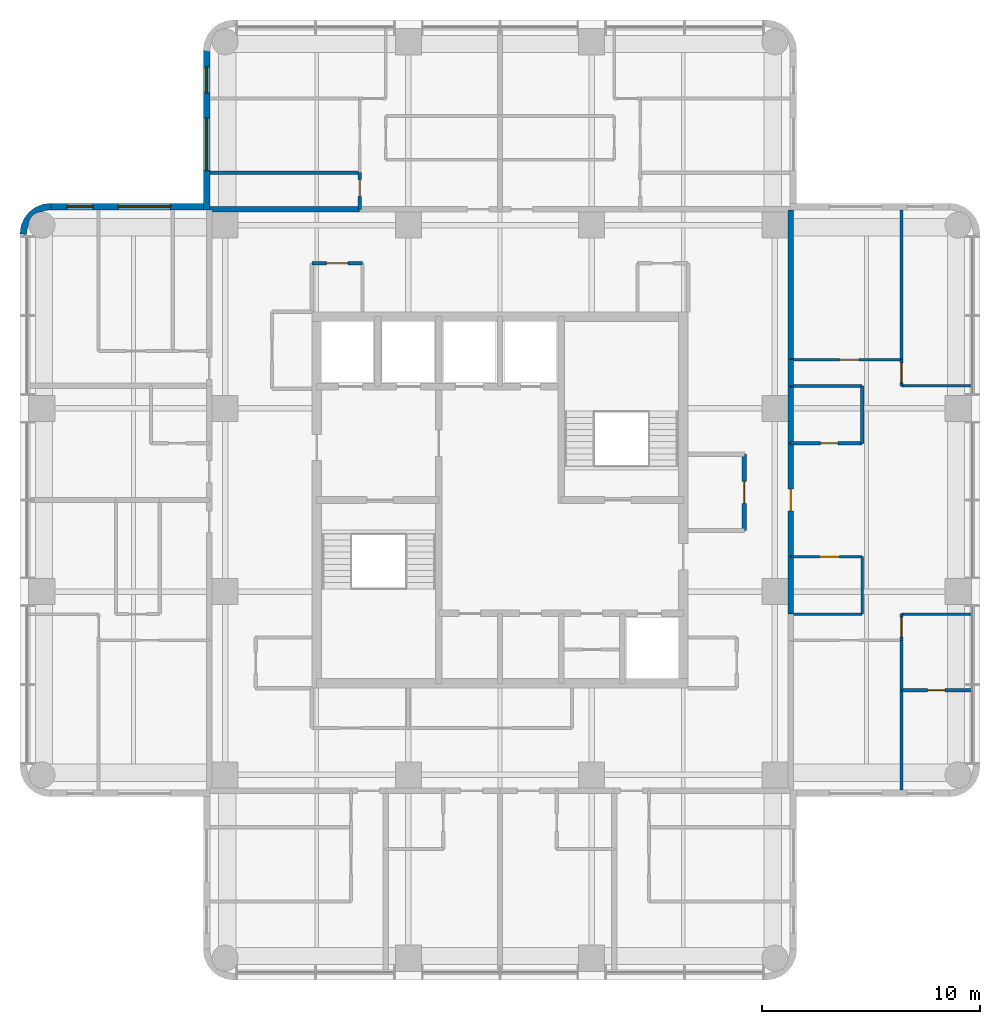
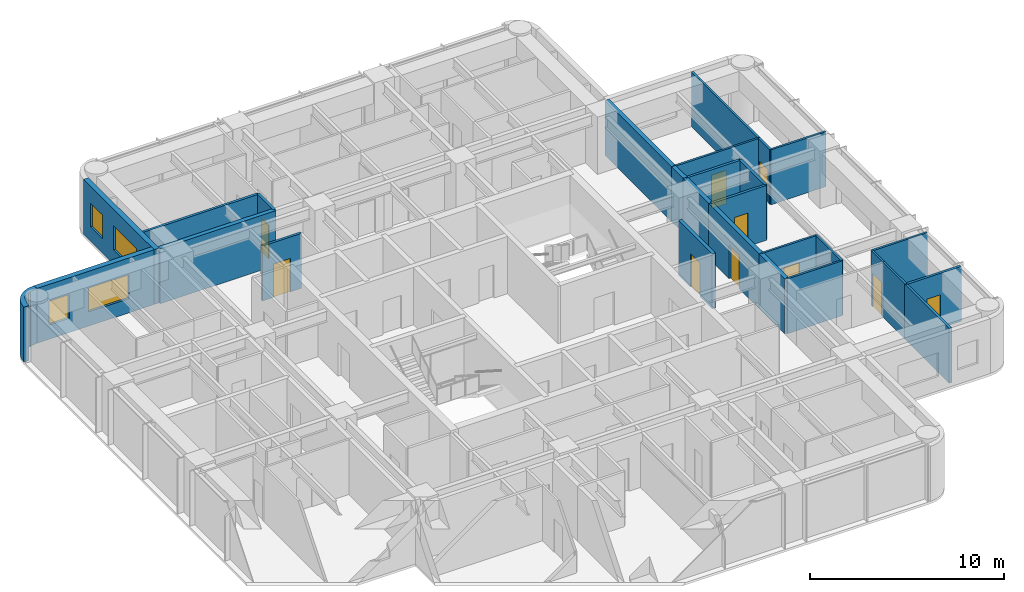
# One storey, part 7 of 10: 28 walls, 10 doors, 4 windows, 14 openings.
"""IFC4 building model written with IfcOpenShell, lengths in metres."""

from ifc_helpers import new_model, si_unit, direction, frame, frame_2d, origin, place, context, subcontext, project, spatial, polyline, rectangle, outline, extrude, material, layer, layer_set, type_object, element, fill, save


model = new_model("IFC4")

# Units and contexts
model_context = context("Model", 3, precision=1e-05, world=origin(), true_north=direction((0.0, 1.0)))
body_context = subcontext(model_context, "Body", "Model", "MODEL_VIEW")
ifc_project = project(units=[si_unit("LENGTHUNIT", "METRE"), si_unit("AREAUNIT", "SQUARE_METRE"), si_unit("VOLUMEUNIT", "CUBIC_METRE"), si_unit("PLANEANGLEUNIT", "RADIAN"), si_unit("MASSUNIT", "GRAM", prefix="KILO")], contexts=[model_context])

# Site, building, storey
site_placement = place(None, origin())
site = spatial("IfcSite", under=ifc_project, at=site_placement, CompositionType="ELEMENT")
building_placement = place(site_placement, origin())
building = spatial("IfcBuilding", under=site, at=building_placement, Name="Torre Alcanfor", CompositionType="ELEMENT")
storey_placement = place(building_placement, frame((0.0, 0.0, 286.5)))
storey = spatial("IfcBuildingStorey", under=building, at=storey_placement, Name="L75", CompositionType="ELEMENT", Elevation=286.5)

# Wall
ifc_material_1 = material(Name="Concrete block masonry, hollow blocks NMX-C-404 9 MPa", Category="masonry")
ifc_layer_1 = layer(ifc_material_1, 0.25)
ifc_layer_set_1 = layer_set([ifc_layer_1], Name="Apartment entrance wall 250 EI 60")
wall_type_1 = type_object("IfcWallType", Name="Apartment entrance wall 250 EI 60", PredefinedType="PARTITIONING", material=ifc_layer_set_1)
wall_1_placement = place(storey_placement, frame((16.10009765625, 42.72509765625, 0.0), z_axis=(0.0, 0.0, 1.0), x_axis=(1.0, 0.0, 0.0)))
element("IfcWall", 1, at=wall_1_placement, inside=storey, type_object=wall_type_1, Name="Partition L75-CORR / L75-N1-BATH", PredefinedType="PARTITIONING", context=body_context, shape_type="SweptSolid", body=[
    extrude(rectangle(XDim=6.870849609375, YDim=0.25, at=frame_2d((3.435546875, 0.0))), origin(), (0.0, 0.0, 1.0), 3.449951171875),
])

# Wall, opening, door
wall_2_placement = place(storey_placement, frame((42.72509765625, 32.0, 0.0), z_axis=(0.0, 0.0, 1.0), x_axis=(0.0, -1.0, 0.0)))
wall_2 = element("IfcWall", 2, at=wall_2_placement, inside=storey, type_object=wall_type_1, Name="Partition L75-CORR / L75-EX-ZAG", PredefinedType="PARTITIONING", context=body_context, shape_type="SweptSolid", body=[
    extrude(rectangle(XDim=5.199951171875, YDim=0.25, at=frame_2d((2.60009765625, 0.0))), origin(), (0.0, 0.0, 1.0), 3.449951171875),
])
opening_1_placement = place(wall_2_placement, frame((2.10009765625, 0.0, 0.0)))
opening_1 = element("IfcOpeningElement", 3, at=opening_1_placement, cuts=wall_2, Name="Opening D-A1", PredefinedType="OPENING", context=body_context, shape_type="SweptSolid", body=[
    extrude(rectangle(XDim=1.0, YDim=2.10009765625, at=frame_2d((0.5, 1.050048828125))), frame((0.0, 0.135009765625, 0.0), z_axis=(0.0, -1.0, 0.0), x_axis=(1.0, 0.0, 0.0)), (0.0, 0.0, 1.0), 0.27001953125),
])
ifc_material_2 = material(Name="Galvanised steel sheet ASTM A653", Category="steel")
door_type_1 = type_object("IfcDoorType", Name="Apartment entrance door FD60 1000x2100", OperationType="SINGLE_SWING_LEFT", PredefinedType="DOOR", material=ifc_material_2)
door_1_placement = place(opening_1_placement, origin())
door_1 = element("IfcDoor", 4, at=door_1_placement, inside=storey, type_object=door_type_1, Name="Apartment entrance L75-EX", OperationType="SINGLE_SWING_LEFT", OverallHeight=2.10009765625, OverallWidth=1.0, PredefinedType="DOOR", context=body_context, shape_type="SweptSolid", body=[
    extrude(rectangle(XDim=1.0, YDim=2.10009765625, at=frame_2d((0.5, 1.050048828125))), frame((0.0, 0.02490234375, 0.0), z_axis=(0.0, -1.0, 0.0), x_axis=(1.0, 0.0, 0.0)), (0.0, 0.0, 1.0), 0.050048828125),
])
fill(opening_1, door_1)

# Walls
wall_3_placement = place(storey_placement, frame((42.72509765625, 34.62890625, 0.0), z_axis=(0.0, 0.0, 1.0), x_axis=(0.0, -1.0, 0.0)))
element("IfcWall", 5, at=wall_3_placement, inside=storey, type_object=wall_type_1, Name="Partition L75-CORR / L75-EX-BATH2", PredefinedType="PARTITIONING", context=body_context, shape_type="SweptSolid", body=[
    extrude(rectangle(XDim=2.62890625, YDim=0.25, at=frame_2d((1.314453125, 0.0))), origin(), (0.0, 0.0, 1.0), 3.449951171875),
])
wall_4_placement = place(storey_placement, frame((42.72509765625, 26.800048828125, 0.0), z_axis=(0.0, 0.0, 1.0), x_axis=(0.0, -1.0, 0.0)))
element("IfcWall", 6, at=wall_4_placement, inside=storey, type_object=wall_type_1, Name="Partition L75-CORR / L75-EX-KITCHEN", PredefinedType="PARTITIONING", context=body_context, shape_type="SweptSolid", body=[
    extrude(rectangle(XDim=2.629150390625, YDim=0.25, at=frame_2d((1.314453125, 0.0))), origin(), (0.0, 0.0, 1.0), 3.449951171875),
])
wall_5_placement = place(storey_placement, frame((42.72509765625, 35.8291015625, 0.0), z_axis=(0.0, 0.0, 1.0), x_axis=(0.0, -1.0, 0.0)))
element("IfcWall", 7, at=wall_5_placement, inside=storey, type_object=wall_type_1, Name="Partition L75-CORR / L75-EX-LIVING", PredefinedType="PARTITIONING", context=body_context, shape_type="SweptSolid", body=[
    extrude(rectangle(XDim=1.2001953125, YDim=0.25, at=frame_2d((0.60009765625, 0.0))), origin(), (0.0, 0.0, 1.0), 3.449951171875),
])
wall_6_placement = place(storey_placement, frame((42.72509765625, 42.699951171875, 0.0), z_axis=(0.0, 0.0, 1.0), x_axis=(0.0, -1.0, 0.0)))
element("IfcWall", 8, at=wall_6_placement, inside=storey, type_object=wall_type_1, Name="Partition L75-CORR / L75-EX-BED2", PredefinedType="PARTITIONING", context=body_context, shape_type="SweptSolid", body=[
    extrude(rectangle(XDim=6.870849609375, YDim=0.25, at=frame_2d((3.435546875, 0.0))), origin(), (0.0, 0.0, 1.0), 3.449951171875),
])

# Wall, opening, door
ifc_material_3 = material(Name="Gypsum board on steel studs", Category="steel")
ifc_layer_2 = layer(ifc_material_3, 0.1201171875)
ifc_layer_set_2 = layer_set([ifc_layer_2], Name="Apartment partition 120")
wall_type_2 = type_object("IfcWallType", Name="Apartment partition 120", PredefinedType="PARTITIONING", material=ifc_layer_set_2)
wall_7_placement = place(storey_placement, frame((42.72509765625, 26.800048828125, 0.0), z_axis=(0.0, 0.0, 1.0), x_axis=(1.0, 0.0, 0.0)))
wall_7 = element("IfcWall", 9, at=wall_7_placement, inside=storey, type_object=wall_type_2, Name="Partition L75-EX-ZAG / L75-EX-KITCHEN", PredefinedType="PARTITIONING", context=body_context, shape_type="SweptSolid", body=[
    extrude(rectangle(XDim=3.27490234375, YDim=0.1201171875, at=frame_2d((1.637451171875, 0.0))), origin(), (0.0, 0.0, 1.0), 3.449951171875),
])
opening_2_placement = place(wall_7_placement, frame((1.324951171875, 0.0, 0.0)))
opening_2 = element("IfcOpeningElement", 10, at=opening_2_placement, cuts=wall_7, Name="Opening D-R1", PredefinedType="OPENING", context=body_context, shape_type="SweptSolid", body=[
    extrude(rectangle(XDim=0.89990234375, YDim=2.10009765625, at=frame_2d((0.449951171875, 1.050048828125))), frame((0.0, 0.070068359375, 0.0), z_axis=(0.0, -1.0, 0.0), x_axis=(1.0, 0.0, 0.0)), (0.0, 0.0, 1.0), 0.14013671875),
])
ifc_material_4 = material(Name="Timber", Category="wood")
door_type_2 = type_object("IfcDoorType", Name="Internal door 900x2100", OperationType="SINGLE_SWING_LEFT", PredefinedType="DOOR", material=ifc_material_4)
door_2_placement = place(opening_2_placement, frame((0.89990234375, 0.0, 0.0), z_axis=(0.0, 0.0, 1.0), x_axis=(-1.0, 0.0, 0.0)))
door_2 = element("IfcDoor", 11, at=door_2_placement, inside=storey, type_object=door_type_2, Name="Door L75-EX kitchen", OperationType="SINGLE_SWING_LEFT", OverallHeight=2.10009765625, OverallWidth=0.89990234375, PredefinedType="DOOR", context=body_context, shape_type="SweptSolid", body=[
    extrude(rectangle(XDim=0.89990234375, YDim=2.10009765625, at=frame_2d((0.449951171875, 1.050048828125))), frame((0.0, 0.025146484375, 0.0), z_axis=(0.0, -1.0, 0.0), x_axis=(1.0, 0.0, 0.0)), (0.0, 0.0, 1.0), 0.050048828125),
])
fill(opening_2, door_2)

# Walls
wall_8_placement = place(storey_placement, frame((42.72509765625, 24.1708984375, 0.0), z_axis=(0.0, 0.0, 1.0), x_axis=(1.0, 0.0, 0.0)))
element("IfcWall", 12, at=wall_8_placement, inside=storey, type_object=wall_type_2, Name="Partition L75-EX-KITCHEN / L75-EX-LIVING", PredefinedType="PARTITIONING", context=body_context, shape_type="SweptSolid", body=[
    extrude(rectangle(XDim=3.27490234375, YDim=0.1201171875, at=frame_2d((1.637451171875, 0.0))), origin(), (0.0, 0.0, 1.0), 3.449951171875),
])
wall_9_placement = place(storey_placement, frame((46.0, 24.1708984375, 0.0), z_axis=(0.0, 0.0, 1.0), x_axis=(0.0, 1.0, 0.0)))
element("IfcWall", 13, at=wall_9_placement, inside=storey, type_object=wall_type_2, Name="Partition L75-EX-KITCHEN / L75-EX-LIVING", PredefinedType="PARTITIONING", context=body_context, shape_type="SweptSolid", body=[
    extrude(rectangle(XDim=2.629150390625, YDim=0.1201171875, at=frame_2d((1.314453125, 0.0))), origin(), (0.0, 0.0, 1.0), 3.449951171875),
])

# Wall, opening, door
wall_10_placement = place(storey_placement, frame((42.72509765625, 35.8291015625, 0.0), z_axis=(0.0, 0.0, 1.0), x_axis=(1.0, 0.0, 0.0)))
wall_10 = element("IfcWall", 14, at=wall_10_placement, inside=storey, type_object=wall_type_2, Name="Partition L75-EX-LIVING / L75-EX-BED2", PredefinedType="PARTITIONING", context=body_context, shape_type="SweptSolid", body=[
    extrude(rectangle(XDim=5.074951171875, YDim=0.1201171875, at=frame_2d((2.53759765625, 0.0))), origin(), (0.0, 0.0, 1.0), 3.449951171875),
])
opening_3_placement = place(wall_10_placement, frame((2.22509765625, 0.0, 0.0)))
opening_3 = element("IfcOpeningElement", 15, at=opening_3_placement, cuts=wall_10, Name="Opening D-R1", PredefinedType="OPENING", context=body_context, shape_type="SweptSolid", body=[
    extrude(rectangle(XDim=0.89990234375, YDim=2.10009765625, at=frame_2d((0.449951171875, 1.050048828125))), frame((0.0, 0.070068359375, 0.0), z_axis=(0.0, -1.0, 0.0), x_axis=(1.0, 0.0, 0.0)), (0.0, 0.0, 1.0), 0.14013671875),
])
door_3_placement = place(opening_3_placement, origin())
door_3 = element("IfcDoor", 16, at=door_3_placement, inside=storey, type_object=door_type_2, Name="Door L75-EX bed2", OperationType="SINGLE_SWING_RIGHT", OverallHeight=2.10009765625, OverallWidth=0.89990234375, PredefinedType="DOOR", context=body_context, shape_type="SweptSolid", body=[
    extrude(rectangle(XDim=0.89990234375, YDim=2.10009765625, at=frame_2d((0.449951171875, 1.050048828125))), frame((0.0, 0.02490234375, 0.0), z_axis=(0.0, -1.0, 0.0), x_axis=(1.0, 0.0, 0.0)), (0.0, 0.0, 1.0), 0.050048828125),
])
fill(opening_3, door_3)

wall_11_placement = place(storey_placement, frame((47.800048828125, 35.8291015625, 0.0), z_axis=(0.0, 0.0, 1.0), x_axis=(0.0, -1.0, 0.0)))
wall_11 = element("IfcWall", 17, at=wall_11_placement, inside=storey, type_object=wall_type_2, Name="Partition L75-EX-LIVING / L75-EX-MASTER", PredefinedType="PARTITIONING", context=body_context, shape_type="SweptSolid", body=[
    extrude(rectangle(XDim=1.2001953125, YDim=0.1201171875, at=frame_2d((0.60009765625, 0.0))), origin(), (0.0, 0.0, 1.0), 3.449951171875),
])
opening_4_placement = place(wall_11_placement, frame((0.14892578125, 0.0, 0.0)))
opening_4 = element("IfcOpeningElement", 18, at=opening_4_placement, cuts=wall_11, Name="Opening D-R1", PredefinedType="OPENING", context=body_context, shape_type="SweptSolid", body=[
    extrude(rectangle(XDim=0.89990234375, YDim=2.10009765625, at=frame_2d((0.449951171875, 1.050048828125))), frame((0.0, 0.070068359375, 0.0), z_axis=(0.0, -1.0, 0.0), x_axis=(1.0, 0.0, 0.0)), (0.0, 0.0, 1.0), 0.14013671875),
])
door_4_placement = place(opening_4_placement, origin())
door_4 = element("IfcDoor", 19, at=door_4_placement, inside=storey, type_object=door_type_2, Name="Door L75-EX master", OperationType="SINGLE_SWING_RIGHT", OverallHeight=2.10009765625, OverallWidth=0.89990234375, PredefinedType="DOOR", context=body_context, shape_type="SweptSolid", body=[
    extrude(rectangle(XDim=0.89990234375, YDim=2.10009765625, at=frame_2d((0.449951171875, 1.050048828125))), frame((0.0, 0.02490234375, 0.0), z_axis=(0.0, -1.0, 0.0), x_axis=(1.0, 0.0, 0.0)), (0.0, 0.0, 1.0), 0.050048828125),
])
fill(opening_4, door_4)

# Walls
for number, where, z_axis, x_axis, name in (
    (20, (47.800048828125, 34.62890625, 0.0), (0.0, 0.0, 1.0), (1.0, 0.0, 0.0), "Partition L75-EX-LIVING / L75-EX-MASTER"),
    (21, (51.050048828125, 24.1708984375, 0.0), (0.0, 0.0, 1.0), (-1.0, 0.0, 0.0), "Partition L75-EX-LIVING / L75-EX-BED1"),
):
    element("IfcWall", number, at=place(storey_placement, frame(where, z_axis=z_axis, x_axis=x_axis)), inside=storey, type_object=wall_type_2, Name=name, PredefinedType="PARTITIONING", context=body_context, shape_type="SweptSolid", body=[
        extrude(rectangle(XDim=3.25, YDim=0.1201171875, at=frame_2d((1.625, 0.0))), origin(), (0.0, 0.0, 1.0), 3.449951171875),
    ])

# Wall, opening, door
wall_12_placement = place(storey_placement, frame((47.800048828125, 24.1708984375, 0.0), z_axis=(0.0, 0.0, 1.0), x_axis=(0.0, -1.0, 0.0)))
wall_12 = element("IfcWall", 22, at=wall_12_placement, inside=storey, type_object=wall_type_2, Name="Partition L75-EX-LIVING / L75-EX-BED1", PredefinedType="PARTITIONING", context=body_context, shape_type="SweptSolid", body=[
    extrude(rectangle(XDim=1.199951171875, YDim=0.1201171875, at=frame_2d((0.60009765625, 0.0))), origin(), (0.0, 0.0, 1.0), 3.449951171875),
])
opening_5_placement = place(wall_12_placement, frame((0.15087890625, 0.0, 0.0)))
opening_5 = element("IfcOpeningElement", 23, at=opening_5_placement, cuts=wall_12, Name="Opening D-R1", PredefinedType="OPENING", context=body_context, shape_type="SweptSolid", body=[
    extrude(rectangle(XDim=0.89990234375, YDim=2.10009765625, at=frame_2d((0.449951171875, 1.050048828125))), frame((0.0, 0.070068359375, 0.0), z_axis=(0.0, -1.0, 0.0), x_axis=(1.0, 0.0, 0.0)), (0.0, 0.0, 1.0), 0.14013671875),
])
door_5_placement = place(opening_5_placement, origin())
door_5 = element("IfcDoor", 24, at=door_5_placement, inside=storey, type_object=door_type_2, Name="Door L75-EX bed1", OperationType="SINGLE_SWING_LEFT", OverallHeight=2.10009765625, OverallWidth=0.89990234375, PredefinedType="DOOR", context=body_context, shape_type="SweptSolid", body=[
    extrude(rectangle(XDim=0.89990234375, YDim=2.10009765625, at=frame_2d((0.449951171875, 1.050048828125))), frame((0.0, 0.02490234375, 0.0), z_axis=(0.0, -1.0, 0.0), x_axis=(1.0, 0.0, 0.0)), (0.0, 0.0, 1.0), 0.050048828125),
])
fill(opening_5, door_5)

# Walls
wall_13_placement = place(storey_placement, frame((47.800048828125, 35.8291015625, 0.0), z_axis=(0.0, 0.0, 1.0), x_axis=(0.0, 1.0, 0.0)))
element("IfcWall", 25, at=wall_13_placement, inside=storey, type_object=wall_type_2, Name="Partition L75-EX-BED2 / L75-EX-MASTER", PredefinedType="PARTITIONING", context=body_context, shape_type="SweptSolid", body=[
    extrude(rectangle(XDim=6.870849609375, YDim=0.1201171875, at=frame_2d((3.435546875, 0.0))), origin(), (0.0, 0.0, 1.0), 3.449951171875),
])
wall_14_placement = place(storey_placement, frame((47.800048828125, 20.68603515625, 0.0), z_axis=(0.0, 0.0, 1.0), x_axis=(0.0, 1.0, 0.0)))
element("IfcWall", 26, at=wall_14_placement, inside=storey, type_object=wall_type_2, Name="Partition L75-EX-BED3 / L75-EX-BED1", PredefinedType="PARTITIONING", context=body_context, shape_type="SweptSolid", body=[
    extrude(rectangle(XDim=2.284912109375, YDim=0.1201171875, at=frame_2d((1.142578125, 0.0))), origin(), (0.0, 0.0, 1.0), 3.449951171875),
])

# Wall, openings, windows
ifc_material_5 = material(Name="Limestone cladding", Category="masonry")
ifc_layer_3 = layer(ifc_material_5, 0.0400390625, Name="Facing")
ifc_material_6 = material(Name="Ventilated air cavity")
ifc_layer_4 = layer(ifc_material_6, 0.02001953125, ventilated=True, Name="Ventilated joint")
ifc_material_7 = material(Name="Mineral wool insulation", Category="insulation")
ifc_layer_5 = layer(ifc_material_7, 0.10009765625, Name="Insulation")
ifc_material_8 = material(Name="Concrete f'c 35 MPa", Category="concrete")
ifc_layer_6 = layer(ifc_material_8, 0.139892578125, Name="Backing")
ifc_layer_set_3 = layer_set([ifc_layer_3, ifc_layer_4, ifc_layer_5, ifc_layer_6], Name="External wall stone-clad 300")
wall_type_3 = type_object("IfcWallType", Name="External wall stone-clad 300", PredefinedType="SOLIDWALL", material=ifc_layer_set_3)
wall_15_placement = place(storey_placement, frame((15.800048828125, 42.85009765625, 0.0), z_axis=(0.0, 0.0, 1.0), x_axis=(-1.0, 0.0, 0.0)))
wall_15 = element("IfcWall", 27, at=wall_15_placement, inside=storey, type_object=wall_type_3, Name="External wall L75 1", PredefinedType="SOLIDWALL", context=body_context, shape_type="SweptSolid", body=[
    extrude(rectangle(XDim=7.0, YDim=0.300048828125, at=frame_2d((3.5, 0.0))), origin(), (0.0, 0.0, 1.0), 3.449951171875),
])
opening_6_placement = place(wall_15_placement, frame((1.5, 0.0, 0.89990234375)))
opening_6 = element("IfcOpeningElement", 28, at=opening_6_placement, cuts=wall_15, Name="Opening W1", PredefinedType="OPENING", context=body_context, shape_type="SweptSolid", body=[
    extrude(rectangle(XDim=2.39990234375, YDim=1.5, at=frame_2d((1.199951171875, 0.75))), frame((0.0, 0.159912109375, 0.0), z_axis=(0.0, -1.0, 0.0), x_axis=(1.0, 0.0, 0.0)), (0.0, 0.0, 1.0), 0.320068359375),
])
opening_7_placement = place(wall_15_placement, frame((5.050048828125, 0.0, 0.89990234375)))
opening_7 = element("IfcOpeningElement", 29, at=opening_7_placement, cuts=wall_15, Name="Opening W4", PredefinedType="OPENING", context=body_context, shape_type="SweptSolid", body=[
    extrude(rectangle(XDim=1.199951171875, YDim=1.5, at=frame_2d((0.60009765625, 0.75))), frame((0.0, 0.159912109375, 0.0), z_axis=(0.0, -1.0, 0.0), x_axis=(1.0, 0.0, 0.0)), (0.0, 0.0, 1.0), 0.320068359375),
])
ifc_material_9 = material(Name="Aluminium frame with clear double glazing", Category="aluminium")
window_type_1 = type_object("IfcWindowType", Name="Window bedroom 1200x1500", PartitioningType="SINGLE_PANEL", PredefinedType="WINDOW", material=ifc_material_9)
window_1_placement = place(opening_7_placement, origin())
window_1 = element("IfcWindow", 30, at=window_1_placement, inside=storey, type_object=window_type_1, Name="Window W4 L75-W2", OverallHeight=1.5, OverallWidth=1.199951171875, PartitioningType="SINGLE_PANEL", PredefinedType="WINDOW", context=body_context, shape_type="SweptSolid", body=[
    extrude(rectangle(XDim=1.199951171875, YDim=1.5, at=frame_2d((0.60009765625, 0.75))), frame((0.0, 0.030029296875, 0.0), z_axis=(0.0, -1.0, 0.0), x_axis=(1.0, 0.0, 0.0)), (0.0, 0.0, 1.0), 0.06005859375),
])
fill(opening_7, window_1)
ifc_material_10 = material(Name="Aluminium frame with clear double glazing", Category="aluminium")
window_type_2 = type_object("IfcWindowType", Name="Window bedroom 2400x1500", PartitioningType="SINGLE_PANEL", PredefinedType="WINDOW", material=ifc_material_10)
window_2_placement = place(opening_6_placement, origin())
window_2 = element("IfcWindow", 31, at=window_2_placement, inside=storey, type_object=window_type_2, Name="Window W1 L75-W2", OverallHeight=1.5, OverallWidth=2.39990234375, PartitioningType="SINGLE_PANEL", PredefinedType="WINDOW", context=body_context, shape_type="SweptSolid", body=[
    extrude(rectangle(XDim=2.39990234375, YDim=1.5, at=frame_2d((1.199951171875, 0.75))), frame((0.0, 0.030029296875, 0.0), z_axis=(0.0, -1.0, 0.0), x_axis=(1.0, 0.0, 0.0)), (0.0, 0.0, 1.0), 0.06005859375),
])
fill(opening_6, window_2)

wall_16_placement = place(storey_placement, frame((15.949951171875, 50.0, 0.0), z_axis=(0.0, 0.0, 1.0), x_axis=(0.0, -1.0, 0.0)))
wall_16 = element("IfcWall", 32, at=wall_16_placement, inside=storey, type_object=wall_type_3, Name="External wall L75 12", PredefinedType="SOLIDWALL", context=body_context, shape_type="SweptSolid", body=[
    extrude(rectangle(XDim=7.300048828125, YDim=0.300048828125, at=frame_2d((3.64990234375, 0.0))), origin(), (0.0, 0.0, 1.0), 3.449951171875),
])
opening_8_placement = place(wall_16_placement, frame((3.10009765625, 0.0, 0.89990234375)))
opening_8 = element("IfcOpeningElement", 33, at=opening_8_placement, cuts=wall_16, Name="Opening W1", PredefinedType="OPENING", context=body_context, shape_type="SweptSolid", body=[
    extrude(rectangle(XDim=2.39990234375, YDim=1.5, at=frame_2d((1.199951171875, 0.75))), frame((0.0, 0.159912109375, 0.0), z_axis=(0.0, -1.0, 0.0), x_axis=(1.0, 0.0, 0.0)), (0.0, 0.0, 1.0), 0.320068359375),
])
opening_9_placement = place(wall_16_placement, frame((0.75, 0.0, 0.89990234375)))
opening_9 = element("IfcOpeningElement", 34, at=opening_9_placement, cuts=wall_16, Name="Opening W4", PredefinedType="OPENING", context=body_context, shape_type="SweptSolid", body=[
    extrude(rectangle(XDim=1.199951171875, YDim=1.5, at=frame_2d((0.60009765625, 0.75))), frame((0.0, 0.159912109375, 0.0), z_axis=(0.0, -1.0, 0.0), x_axis=(1.0, 0.0, 0.0)), (0.0, 0.0, 1.0), 0.320068359375),
])
window_3_placement = place(opening_9_placement, origin())
window_3 = element("IfcWindow", 35, at=window_3_placement, inside=storey, type_object=window_type_1, Name="Window W4 L75-N1", OverallHeight=1.5, OverallWidth=1.199951171875, PartitioningType="SINGLE_PANEL", PredefinedType="WINDOW", context=body_context, shape_type="SweptSolid", body=[
    extrude(rectangle(XDim=1.199951171875, YDim=1.5, at=frame_2d((0.60009765625, 0.75))), frame((0.0, 0.030029296875, 0.0), z_axis=(0.0, -1.0, 0.0), x_axis=(1.0, 0.0, 0.0)), (0.0, 0.0, 1.0), 0.06005859375),
])
fill(opening_9, window_3)
window_4_placement = place(opening_8_placement, origin())
window_4 = element("IfcWindow", 36, at=window_4_placement, inside=storey, type_object=window_type_2, Name="Window W1 L75-N1", OverallHeight=1.5, OverallWidth=2.39990234375, PartitioningType="SINGLE_PANEL", PredefinedType="WINDOW", context=body_context, shape_type="SweptSolid", body=[
    extrude(rectangle(XDim=2.39990234375, YDim=1.5, at=frame_2d((1.199951171875, 0.75))), frame((0.0, 0.030029296875, 0.0), z_axis=(0.0, -1.0, 0.0), x_axis=(1.0, 0.0, 0.0)), (0.0, 0.0, 1.0), 0.06005859375),
])
fill(opening_8, window_4)

# Wall, opening, door
ifc_material_11 = material(Name="Concrete block masonry, hollow blocks NMX-C-404 9 MPa", Category="masonry")
ifc_layer_7 = layer(ifc_material_11, 0.199951171875)
ifc_layer_set_4 = layer_set([ifc_layer_7], Name="Plant room wall 200 EI 60")
wall_type_4 = type_object("IfcWallType", Name="Plant room wall 200 EI 60", PredefinedType="PARTITIONING", material=ifc_layer_set_4)
wall_17_placement = place(storey_placement, frame((40.60009765625, 28.0, 0.0), z_axis=(0.0, 0.0, 1.0), x_axis=(0.0, 1.0, 0.0)))
wall_17 = element("IfcWall", 37, at=wall_17_placement, inside=storey, type_object=wall_type_4, Name="Partition L75-CORR / L75-G04", PredefinedType="PARTITIONING", context=body_context, shape_type="SweptSolid", body=[
    extrude(rectangle(XDim=3.5, YDim=0.199951171875, at=frame_2d((1.75, 0.0))), origin(), (0.0, 0.0, 1.0), 3.449951171875),
])
opening_10_placement = place(wall_17_placement, frame((1.25, 0.0, 0.0)))
opening_10 = element("IfcOpeningElement", 38, at=opening_10_placement, cuts=wall_17, Name="Opening D-K1", PredefinedType="OPENING", context=body_context, shape_type="SweptSolid", body=[
    extrude(rectangle(XDim=1.0, YDim=2.10009765625, at=frame_2d((0.5, 1.050048828125))), frame((0.0, 0.10986328125, 0.0), z_axis=(0.0, -1.0, 0.0), x_axis=(1.0, 0.0, 0.0)), (0.0, 0.0, 1.0), 0.219970703125),
])
ifc_material_12 = material(Name="Galvanised steel sheet ASTM A653", Category="steel")
door_type_3 = type_object("IfcDoorType", Name="Core room door FD60 1000x2100", OperationType="SINGLE_SWING_LEFT", PredefinedType="DOOR", material=ifc_material_12)
door_6_placement = place(opening_10_placement, origin())
door_6 = element("IfcDoor", 39, at=door_6_placement, inside=storey, type_object=door_type_3, Name="Door L75-G04 refuse and recycling store", OperationType="SINGLE_SWING_LEFT", OverallHeight=2.10009765625, OverallWidth=1.0, PredefinedType="DOOR", context=body_context, shape_type="SweptSolid", body=[
    extrude(rectangle(XDim=1.0, YDim=2.10009765625, at=frame_2d((0.5, 1.050048828125))), frame((0.0, 0.02490234375, 0.0), z_axis=(0.0, -1.0, 0.0), x_axis=(1.0, 0.0, 0.0)), (0.0, 0.0, 1.0), 0.050048828125),
])
fill(opening_10, door_6)

ifc_material_13 = material(Name="Concrete block masonry, hollow blocks NMX-C-404 9 MPa", Category="masonry")
ifc_layer_8 = layer(ifc_material_13, 0.14990234375)
ifc_layer_set_5 = layer_set([ifc_layer_8], Name="Residents' room partition 150")
wall_type_5 = type_object("IfcWallType", Name="Residents' room partition 150", PredefinedType="PARTITIONING", material=ifc_layer_set_5)
wall_18_placement = place(storey_placement, frame((23.10009765625, 40.25, 0.0), z_axis=(0.0, 0.0, 1.0), x_axis=(-1.0, 0.0, 0.0)))
wall_18 = element("IfcWall", 40, at=wall_18_placement, inside=storey, type_object=wall_type_5, Name="Partition L75-CORR / L75-G01", PredefinedType="PARTITIONING", context=body_context, shape_type="SweptSolid", body=[
    extrude(rectangle(XDim=2.3251953125, YDim=0.14990234375, at=frame_2d((1.16259765625, 0.0))), origin(), (0.0, 0.0, 1.0), 3.449951171875),
])
opening_11_placement = place(wall_18_placement, frame((0.66259765625, 0.0, 0.0)))
opening_11 = element("IfcOpeningElement", 41, at=opening_11_placement, cuts=wall_18, Name="Opening D-M1", PredefinedType="OPENING", context=body_context, shape_type="SweptSolid", body=[
    extrude(rectangle(XDim=1.0, YDim=2.10009765625, at=frame_2d((0.5, 1.050048828125))), frame((0.0, 0.0849609375, 0.0), z_axis=(0.0, -1.0, 0.0), x_axis=(1.0, 0.0, 0.0)), (0.0, 0.0, 1.0), 0.169921875),
])
ifc_material_14 = material(Name="Timber", Category="wood")
door_type_4 = type_object("IfcDoorType", Name="Residents' room door 1000x2100", OperationType="SINGLE_SWING_LEFT", PredefinedType="DOOR", material=ifc_material_14)
door_7_placement = place(opening_11_placement, origin())
door_7 = element("IfcDoor", 42, at=door_7_placement, inside=storey, type_object=door_type_4, Name="Door L75-G01 parcel room", OperationType="SINGLE_SWING_LEFT", OverallHeight=2.10009765625, OverallWidth=1.0, PredefinedType="DOOR", context=body_context, shape_type="SweptSolid", body=[
    extrude(rectangle(XDim=1.0, YDim=2.10009765625, at=frame_2d((0.5, 1.050048828125))), frame((0.0, 0.02490234375, 0.0), z_axis=(0.0, -1.0, 0.0), x_axis=(1.0, 0.0, 0.0)), (0.0, 0.0, 1.0), 0.050048828125),
])
fill(opening_11, door_7)

# Wall
ifc_layer_9 = layer(ifc_material_5, 0.0400390625, Name="Facing")
ifc_layer_10 = layer(ifc_material_6, 0.02001953125, ventilated=True, Name="Ventilated joint")
ifc_layer_11 = layer(ifc_material_7, 0.10009765625, Name="Insulation")
ifc_layer_12 = layer(ifc_material_8, 0.139892578125, Name="Backing")
ifc_layer_set_6 = layer_set([ifc_layer_9, ifc_layer_10, ifc_layer_11, ifc_layer_12], Name="Rounded corner pier stone-clad 300")
wall_type_6 = type_object("IfcWallType", Name="Rounded corner pier stone-clad 300", PredefinedType="SOLIDWALL", material=ifc_layer_set_6)
wall_19_placement = place(storey_placement, frame((8.761581746, 42.575898117, 0.0), z_axis=(0.0, 0.0, 1.0), x_axis=(-0.707106781187, 0.707106781187, 0.0)))
element("IfcWall", 43, at=wall_19_placement, inside=storey, type_object=wall_type_6, Name="Corner pier L75 13", PredefinedType="SOLIDWALL", context=body_context, shape_type="SweptSolid", body=[
    extrude(outline(polyline([(0.23297927971509194, 0.11416555226925892), (0.04670774238592084, -0.12872977027211618), (0.032551796082869844, -0.1428857165751672), (0.27268498276023495, -0.32708565200633083), (0.49520955330453675, -0.03723401977678656), (0.6350426814200405, 0.3004370895984301), (0.6826895250742122, 0.6629674217497361), (0.6350426814200405, 1.025152486918041), (0.49520955330453664, 1.3628235962932576), (0.27285761625173566, 1.6528478620143026), (0.032724429574370495, 1.468647926583139), (0.0467077423859209, 1.4546646137715884), (0.23315191320659262, 1.2115966577387127), (0.29219256729980525, 1.0690013937591991), (0.3577932940700416, 1.0034006669889626), (0.44946167805687187, 0.7826024313596671), (0.44946167805687187, 0.5433324121398051), (0.3579659275615422, 0.322361543019009), (0.29219256729980525, 0.256588182757272), (0.23297927971509194, 0.11416555226925892)])), origin(), (0.0, 0.0, 1.0), 3.449951171875),
])

# Wall, opening, door
ifc_material_15 = material(Name="Cement board on steel studs", Category="steel")
ifc_layer_13 = layer(ifc_material_15, 0.14990234375)
ifc_layer_set_7 = layer_set([ifc_layer_13], Name="Wet area partition 150")
wall_type_7 = type_object("IfcWallType", Name="Wet area partition 150", PredefinedType="PARTITIONING", material=ifc_layer_set_7)
wall_20_placement = place(storey_placement, frame((22.970947265625, 42.72509765625, 0.0), z_axis=(0.0, 0.0, 1.0), x_axis=(0.0, 1.0, 0.0)))
wall_20 = element("IfcWall", 44, at=wall_20_placement, inside=storey, type_object=wall_type_7, Name="Partition L75-N1-LIVING / L75-N1-BATH", PredefinedType="PARTITIONING", context=body_context, shape_type="SweptSolid", body=[
    extrude(rectangle(XDim=1.6748046875, YDim=0.14990234375, at=frame_2d((0.83740234375, 0.0))), origin(), (0.0, 0.0, 1.0), 3.449951171875),
])
opening_12_placement = place(wall_20_placement, frame((0.574951171875, 0.0, 0.0)))
opening_12 = element("IfcOpeningElement", 45, at=opening_12_placement, cuts=wall_20, Name="Opening D-R2", PredefinedType="OPENING", context=body_context, shape_type="SweptSolid", body=[
    extrude(rectangle(XDim=0.800048828125, YDim=2.10009765625, at=frame_2d((0.39990234375, 1.050048828125))), frame((0.0, 0.0849609375, 0.0), z_axis=(0.0, -1.0, 0.0), x_axis=(1.0, 0.0, 0.0)), (0.0, 0.0, 1.0), 0.169921875),
])
ifc_material_16 = material(Name="Timber", Category="wood")
door_type_5 = type_object("IfcDoorType", Name="Bathroom door 800x2100", OperationType="SINGLE_SWING_LEFT", PredefinedType="DOOR", material=ifc_material_16)
door_8_placement = place(opening_12_placement, origin())
door_8 = element("IfcDoor", 46, at=door_8_placement, inside=storey, type_object=door_type_5, Name="Door L75-N1 bath", OperationType="SINGLE_SWING_RIGHT", OverallHeight=2.10009765625, OverallWidth=0.800048828125, PredefinedType="DOOR", context=body_context, shape_type="SweptSolid", body=[
    extrude(rectangle(XDim=0.800048828125, YDim=2.10009765625, at=frame_2d((0.39990234375, 1.050048828125))), frame((0.0, 0.02490234375, 0.0), z_axis=(0.0, -1.0, 0.0), x_axis=(1.0, 0.0, 0.0)), (0.0, 0.0, 1.0), 0.050048828125),
])
fill(opening_12, door_8)

# Wall
wall_21_placement = place(storey_placement, frame((22.970947265625, 44.39990234375, 0.0), z_axis=(0.0, 0.0, 1.0), x_axis=(-1.0, 0.0, 0.0)))
element("IfcWall", 47, at=wall_21_placement, inside=storey, type_object=wall_type_7, Name="Partition L75-N1-BATH / L75-N1-STUDY", PredefinedType="PARTITIONING", context=body_context, shape_type="SweptSolid", body=[
    extrude(rectangle(XDim=6.870849609375, YDim=0.14990234375, at=frame_2d((3.435546875, 0.0))), origin(), (0.0, 0.0, 1.0), 3.449951171875),
])

# Wall, opening, door
wall_22_placement = place(storey_placement, frame((46.0, 32.0, 0.0), z_axis=(0.0, 0.0, 1.0), x_axis=(-1.0, 0.0, 0.0)))
wall_22 = element("IfcWall", 48, at=wall_22_placement, inside=storey, type_object=wall_type_7, Name="Partition L75-EX-ZAG / L75-EX-BATH2", PredefinedType="PARTITIONING", context=body_context, shape_type="SweptSolid", body=[
    extrude(rectangle(XDim=3.27490234375, YDim=0.14990234375, at=frame_2d((1.637451171875, 0.0))), origin(), (0.0, 0.0, 1.0), 3.449951171875),
])
opening_13_placement = place(wall_22_placement, frame((1.10009765625, 0.0, 0.0)))
opening_13 = element("IfcOpeningElement", 49, at=opening_13_placement, cuts=wall_22, Name="Opening D-R2", PredefinedType="OPENING", context=body_context, shape_type="SweptSolid", body=[
    extrude(rectangle(XDim=0.800048828125, YDim=2.10009765625, at=frame_2d((0.39990234375, 1.050048828125))), frame((0.0, 0.0849609375, 0.0), z_axis=(0.0, -1.0, 0.0), x_axis=(1.0, 0.0, 0.0)), (0.0, 0.0, 1.0), 0.169921875),
])
door_9_placement = place(opening_13_placement, frame((0.800048828125, 0.0, 0.0), z_axis=(0.0, 0.0, 1.0), x_axis=(-1.0, 0.0, 0.0)))
door_9 = element("IfcDoor", 50, at=door_9_placement, inside=storey, type_object=door_type_5, Name="Door L75-EX bath2", OperationType="SINGLE_SWING_RIGHT", OverallHeight=2.10009765625, OverallWidth=0.800048828125, PredefinedType="DOOR", context=body_context, shape_type="SweptSolid", body=[
    extrude(rectangle(XDim=0.800048828125, YDim=2.10009765625, at=frame_2d((0.400146484375, 1.050048828125))), frame((0.0, 0.025146484375, 0.0), z_axis=(0.0, -1.0, 0.0), x_axis=(1.0, 0.0, 0.0)), (0.0, 0.0, 1.0), 0.050048828125),
])
fill(opening_13, door_9)

# Walls
wall_23_placement = place(storey_placement, frame((46.0, 32.0, 0.0), z_axis=(0.0, 0.0, 1.0), x_axis=(0.0, 1.0, 0.0)))
element("IfcWall", 51, at=wall_23_placement, inside=storey, type_object=wall_type_7, Name="Partition L75-EX-BATH2 / L75-EX-LIVING", PredefinedType="PARTITIONING", context=body_context, shape_type="SweptSolid", body=[
    extrude(rectangle(XDim=2.62890625, YDim=0.14990234375, at=frame_2d((1.314453125, 0.0))), origin(), (0.0, 0.0, 1.0), 3.449951171875),
])
wall_24_placement = place(storey_placement, frame((46.0, 34.62890625, 0.0), z_axis=(0.0, 0.0, 1.0), x_axis=(-1.0, 0.0, 0.0)))
element("IfcWall", 52, at=wall_24_placement, inside=storey, type_object=wall_type_7, Name="Partition L75-EX-BATH2 / L75-EX-LIVING", PredefinedType="PARTITIONING", context=body_context, shape_type="SweptSolid", body=[
    extrude(rectangle(XDim=3.27490234375, YDim=0.14990234375, at=frame_2d((1.637451171875, 0.0))), origin(), (0.0, 0.0, 1.0), 3.449951171875),
])
wall_25_placement = place(storey_placement, frame((47.800048828125, 16.10009765625, 0.0), z_axis=(0.0, 0.0, 1.0), x_axis=(0.0, 1.0, 0.0)))
element("IfcWall", 53, at=wall_25_placement, inside=storey, type_object=wall_type_7, Name="Partition L75-EX-BED3 / L75-EX-BATH1", PredefinedType="PARTITIONING", context=body_context, shape_type="SweptSolid", body=[
    extrude(rectangle(XDim=4.5859375, YDim=0.14990234375, at=frame_2d((2.29296875, 0.0))), origin(), (0.0, 0.0, 1.0), 3.449951171875),
])

# Wall, opening, door
wall_26_placement = place(storey_placement, frame((51.050048828125, 20.68603515625, 0.0), z_axis=(0.0, 0.0, 1.0), x_axis=(-1.0, 0.0, 0.0)))
wall_26 = element("IfcWall", 54, at=wall_26_placement, inside=storey, type_object=wall_type_7, Name="Partition L75-EX-BATH1 / L75-EX-BED1", PredefinedType="PARTITIONING", context=body_context, shape_type="SweptSolid", body=[
    extrude(rectangle(XDim=3.25, YDim=0.14990234375, at=frame_2d((1.625, 0.0))), origin(), (0.0, 0.0, 1.0), 3.449951171875),
])
opening_14_placement = place(wall_26_placement, frame((1.25, 0.0, 0.0)))
opening_14 = element("IfcOpeningElement", 55, at=opening_14_placement, cuts=wall_26, Name="Opening D-R2", PredefinedType="OPENING", context=body_context, shape_type="SweptSolid", body=[
    extrude(rectangle(XDim=0.800048828125, YDim=2.10009765625, at=frame_2d((0.39990234375, 1.050048828125))), frame((0.0, 0.0849609375, 0.0), z_axis=(0.0, -1.0, 0.0), x_axis=(1.0, 0.0, 0.0)), (0.0, 0.0, 1.0), 0.169921875),
])
door_10_placement = place(opening_14_placement, frame((0.800048828125, 0.0, 0.0), z_axis=(0.0, 0.0, 1.0), x_axis=(-1.0, 0.0, 0.0)))
door_10 = element("IfcDoor", 56, at=door_10_placement, inside=storey, type_object=door_type_5, Name="Door L75-EX bath1", OperationType="SINGLE_SWING_LEFT", OverallHeight=2.10009765625, OverallWidth=0.800048828125, PredefinedType="DOOR", context=body_context, shape_type="SweptSolid", body=[
    extrude(rectangle(XDim=0.800048828125, YDim=2.10009765625, at=frame_2d((0.400146484375, 1.050048828125))), frame((0.0, 0.025146484375, 0.0), z_axis=(0.0, -1.0, 0.0), x_axis=(1.0, 0.0, 0.0)), (0.0, 0.0, 1.0), 0.050048828125),
])
fill(opening_14, door_10)

save(model, "model.ifc")
